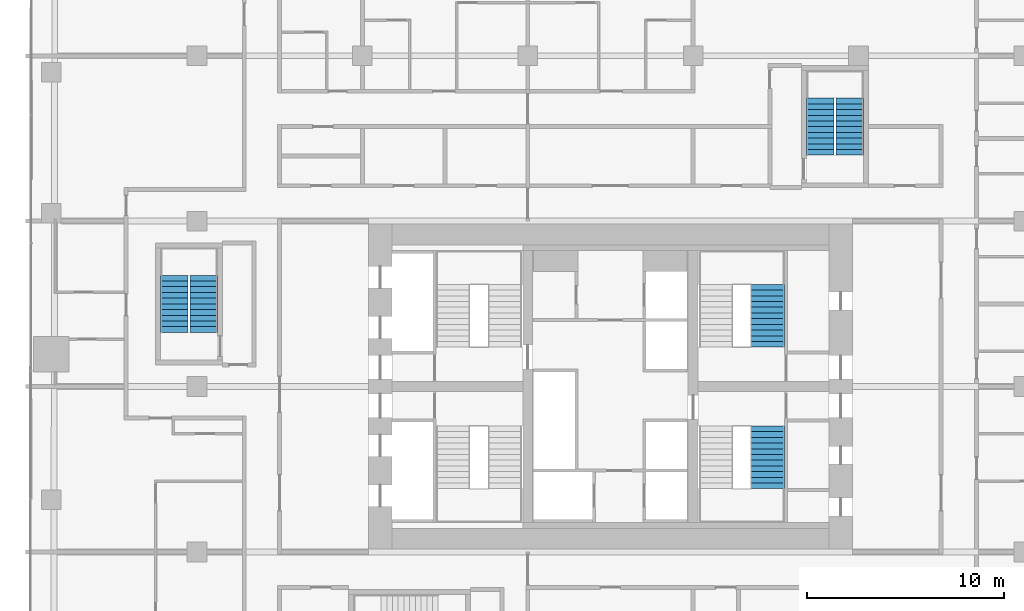
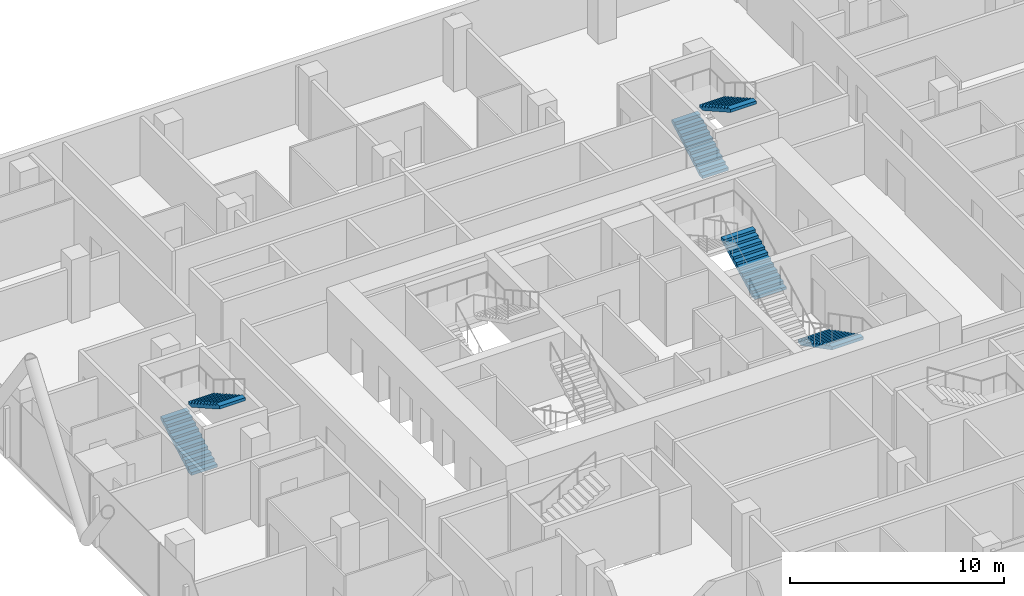
# One storey, part 32 of 34: 6 stair flights, 4 elements without a shape of their own.
"""IFC4 building model written with IfcOpenShell, lengths in metres."""

from ifc_helpers import new_model, si_unit, direction, frame, origin, place, context, subcontext, project, spatial, polyline, outline, extrude, material, type_object, element, aggregate, save


model = new_model("IFC4")

# Units and contexts
model_context = context("Model", 3, precision=1e-05, world=origin(), true_north=direction((0.0, 1.0)))
body_context = subcontext(model_context, "Body", "Model", "MODEL_VIEW")
ifc_project = project(units=[si_unit("LENGTHUNIT", "METRE"), si_unit("AREAUNIT", "SQUARE_METRE"), si_unit("VOLUMEUNIT", "CUBIC_METRE"), si_unit("PLANEANGLEUNIT", "RADIAN"), si_unit("MASSUNIT", "GRAM", prefix="KILO")], contexts=[model_context])

# Site, building, storey
site_placement = place(None, origin())
site = spatial("IfcSite", under=ifc_project, at=site_placement, CompositionType="ELEMENT")
building_placement = place(site_placement, origin())
building = spatial("IfcBuilding", under=site, at=building_placement, Name="Marenta Gate Hotel Tower", CompositionType="ELEMENT")
storey_placement = place(building_placement, frame((0.0, 0.0, 47.300048828125)))
storey = spatial("IfcBuildingStorey", under=building, at=storey_placement, Name="L09", CompositionType="ELEMENT", Elevation=47.300048828125)

# Stair, stair flight
ifc_material_1 = material(Name="Concrete C40", Category="concrete")
stair_type_1 = type_object("IfcStairType", Name="Core exit stair 1700 wide", PredefinedType="HALF_TURN_STAIR", material=ifc_material_1)
stair_1_placement = place(storey_placement, origin())
stair_1 = element("IfcStair", 1, at=stair_1_placement, inside=storey, type_object=stair_type_1, Name="Exit stair 3", PredefinedType="HALF_TURN_STAIR")
ifc_material_2 = material(Name="Concrete C40", Category="concrete")
stair_flight_type_1 = type_object("IfcStairFlightType", Name="Core stair flight 1700 riser 150.0 going 290", PredefinedType="STRAIGHT", material=ifc_material_2)
stair_flight_1_placement = place(storey_placement, frame((8.0, 6.39990234375, 0.0), z_axis=(0.0, 0.0, 1.0), x_axis=(0.0, -1.0, 0.0)))
stair_flight_1 = element("IfcStairFlight", 2, at=stair_flight_1_placement, type_object=stair_flight_type_1, Name="ST3 flight 1", NumberOfRisers=12, NumberOfTreads=11, PredefinedType="STRAIGHT", RiserHeight=0.15, TreadLength=0.29, context=body_context, shape_type="SweptSolid", body=[
    extrude(outline(polyline([(0.0, 0.0), (0.0, 0.14990234375), (0.2900390625, 0.14990234375), (0.2900390625, 0.300048828125), (0.580078125, 0.300048828125), (0.580078125, 0.449951171875), (0.8701171875, 0.449951171875), (0.8701171875, 0.60009765625), (1.159912109375, 0.60009765625), (1.159912109375, 0.75), (1.449951171875, 0.75), (1.449951171875, 0.89990234375), (1.739990234375, 0.89990234375), (1.739990234375, 1.050048828125), (2.030029296875, 1.050048828125), (2.030029296875, 1.199951171875), (2.320068359375, 1.199951171875), (2.320068359375, 1.35009765625), (2.610107421875, 1.35009765625), (2.610107421875, 1.5), (2.89990234375, 1.5), (2.89990234375, 1.64990234375), (3.18994140625, 1.64990234375), (3.18994140625, 1.800048828125), (3.18994140625, 1.481201171875), (0.326171875, 0.0), (0.0, 0.0)])), frame((0.0, 0.85009765625, 0.0), z_axis=(0.0, -1.0, 0.0), x_axis=(1.0, 0.0, 0.0)), (0.0, 0.0, 1.0), 1.699951171875),
])
aggregate(stair_1, [stair_flight_1])

stair_2_placement = place(storey_placement, origin())
stair_2 = element("IfcStair", 3, at=stair_2_placement, inside=storey, type_object=stair_type_1, Name="Exit stair 4", PredefinedType="HALF_TURN_STAIR")
stair_flight_2_placement = place(storey_placement, frame((8.0, 10.39990234375, 0.0), z_axis=(0.0, 0.0, 1.0), x_axis=(0.0, 1.0, 0.0)))
stair_flight_2 = element("IfcStairFlight", 4, at=stair_flight_2_placement, type_object=stair_flight_type_1, Name="ST4 flight 1", NumberOfRisers=12, NumberOfTreads=11, PredefinedType="STRAIGHT", RiserHeight=0.15, TreadLength=0.29, context=body_context, shape_type="SweptSolid", body=[
    extrude(outline(polyline([(0.0, 0.0), (0.0, 0.14990234375), (0.2900390625, 0.14990234375), (0.2900390625, 0.300048828125), (0.580078125, 0.300048828125), (0.580078125, 0.449951171875), (0.8701171875, 0.449951171875), (0.8701171875, 0.60009765625), (1.159912109375, 0.60009765625), (1.159912109375, 0.75), (1.449951171875, 0.75), (1.449951171875, 0.89990234375), (1.739990234375, 0.89990234375), (1.739990234375, 1.050048828125), (2.030029296875, 1.050048828125), (2.030029296875, 1.199951171875), (2.320068359375, 1.199951171875), (2.320068359375, 1.35009765625), (2.610107421875, 1.35009765625), (2.610107421875, 1.5), (2.89990234375, 1.5), (2.89990234375, 1.64990234375), (3.18994140625, 1.64990234375), (3.18994140625, 1.800048828125), (3.18994140625, 1.481201171875), (0.326171875, 0.0), (0.0, 0.0)])), frame((0.0, 0.85009765625, 0.0), z_axis=(0.0, -1.0, 0.0), x_axis=(1.0, 0.0, 0.0)), (0.0, 0.0, 1.0), 1.699951171875),
])
aggregate(stair_2, [stair_flight_2])

# Stair, stair flights
ifc_material_3 = material(Name="Concrete C40", Category="concrete")
stair_type_2 = type_object("IfcStairType", Name="Remote exit stair 1400 wide", PredefinedType="HALF_TURN_STAIR", material=ifc_material_3)
stair_3_placement = place(storey_placement, origin())
stair_3 = element("IfcStair", 5, at=stair_3_placement, inside=storey, type_object=stair_type_2, Name="Exit stair RS-Z1-3", PredefinedType="HALF_TURN_STAIR")
ifc_material_4 = material(Name="Concrete C40", Category="concrete")
stair_flight_type_2 = type_object("IfcStairFlightType", Name="Remote stair flight 1400 riser 163.6 going 290", PredefinedType="STRAIGHT", material=ifc_material_4)
stair_flight_3_placement = place(storey_placement, frame((-22.14990234375, 11.14990234375, 0.0), z_axis=(0.0, 0.0, 1.0), x_axis=(0.0, 1.0, 0.0)))
stair_flight_3 = element("IfcStairFlight", 6, at=stair_flight_3_placement, type_object=stair_flight_type_2, Name="RS-Z1-3 flight 1", NumberOfRisers=11, NumberOfTreads=10, PredefinedType="STRAIGHT", RiserHeight=0.163636, TreadLength=0.29, context=body_context, shape_type="SweptSolid", body=[
    extrude(outline(polyline([(0.0, 0.0), (0.0, 0.16357421875), (0.2900390625, 0.16357421875), (0.2900390625, 0.327392578125), (0.580078125, 0.327392578125), (0.580078125, 0.490966796875), (0.8701171875, 0.490966796875), (0.8701171875, 0.654541015625), (1.159912109375, 0.654541015625), (1.159912109375, 0.818115234375), (1.449951171875, 0.818115234375), (1.449951171875, 0.98193359375), (1.739990234375, 0.98193359375), (1.739990234375, 1.1455078125), (2.030029296875, 1.1455078125), (2.030029296875, 1.30908203125), (2.320068359375, 1.30908203125), (2.320068359375, 1.47265625), (2.610107421875, 1.47265625), (2.610107421875, 1.636474609375), (2.89990234375, 1.636474609375), (2.89990234375, 1.800048828125), (2.89990234375, 1.46435546875), (0.304931640625, 0.0), (0.0, 0.0)])), frame((0.0, 0.699951171875, 0.0), z_axis=(0.0, -1.0, 0.0), x_axis=(1.0, 0.0, 0.0)), (0.0, 0.0, 1.0), 1.39990234375),
])
stair_flight_4_placement = place(storey_placement, frame((-20.64990234375, 14.050048828125, 1.800048828125), z_axis=(0.0, 0.0, 1.0), x_axis=(0.0, -1.0, 0.0)))
stair_flight_4 = element("IfcStairFlight", 7, at=stair_flight_4_placement, type_object=stair_flight_type_2, Name="RS-Z1-3 flight 2", NumberOfRisers=11, NumberOfTreads=10, PredefinedType="STRAIGHT", RiserHeight=0.163636, TreadLength=0.29, context=body_context, shape_type="SweptSolid", body=[
    extrude(outline(polyline([(0.0, 0.0), (0.0, 0.16357421875), (0.2900390625, 0.16357421875), (0.2900390625, 0.327392578125), (0.580078125, 0.327392578125), (0.580078125, 0.490966796875), (0.8701171875, 0.490966796875), (0.8701171875, 0.654541015625), (1.159912109375, 0.654541015625), (1.159912109375, 0.818115234375), (1.449951171875, 0.818115234375), (1.449951171875, 0.98193359375), (1.739990234375, 0.98193359375), (1.739990234375, 1.1455078125), (2.030029296875, 1.1455078125), (2.030029296875, 1.30908203125), (2.320068359375, 1.30908203125), (2.320068359375, 1.47265625), (2.610107421875, 1.47265625), (2.610107421875, 1.636474609375), (2.89990234375, 1.636474609375), (2.89990234375, 1.800048828125), (2.89990234375, 1.46435546875), (0.304931640625, 0.0), (0.0, 0.0)])), frame((0.0, 0.699951171875, 0.0), z_axis=(0.0, -1.0, 0.0), x_axis=(1.0, 0.0, 0.0)), (0.0, 0.0, 1.0), 1.39990234375),
])
aggregate(stair_3, [stair_flight_3, stair_flight_4])

stair_4_placement = place(storey_placement, origin())
stair_4 = element("IfcStair", 8, at=stair_4_placement, inside=storey, type_object=stair_type_2, Name="Exit stair RS-Z1-4", PredefinedType="HALF_TURN_STAIR")
stair_flight_5_placement = place(storey_placement, frame((10.64990234375, 20.14990234375, 0.0), z_axis=(0.0, 0.0, 1.0), x_axis=(0.0, 1.0, 0.0)))
stair_flight_5 = element("IfcStairFlight", 9, at=stair_flight_5_placement, type_object=stair_flight_type_2, Name="RS-Z1-4 flight 1", NumberOfRisers=11, NumberOfTreads=10, PredefinedType="STRAIGHT", RiserHeight=0.163636, TreadLength=0.29, context=body_context, shape_type="SweptSolid", body=[
    extrude(outline(polyline([(0.0, 0.0), (0.0, 0.16357421875), (0.2900390625, 0.16357421875), (0.2900390625, 0.327392578125), (0.580078125, 0.327392578125), (0.580078125, 0.490966796875), (0.8701171875, 0.490966796875), (0.8701171875, 0.654541015625), (1.159912109375, 0.654541015625), (1.159912109375, 0.818115234375), (1.449951171875, 0.818115234375), (1.449951171875, 0.98193359375), (1.739990234375, 0.98193359375), (1.739990234375, 1.1455078125), (2.030029296875, 1.1455078125), (2.030029296875, 1.30908203125), (2.320068359375, 1.30908203125), (2.320068359375, 1.47265625), (2.610107421875, 1.47265625), (2.610107421875, 1.636474609375), (2.89990234375, 1.636474609375), (2.89990234375, 1.800048828125), (2.89990234375, 1.46435546875), (0.304931640625, 0.0), (0.0, 0.0)])), frame((0.0, 0.699951171875, 0.0), z_axis=(0.0, -1.0, 0.0), x_axis=(1.0, 0.0, 0.0)), (0.0, 0.0, 1.0), 1.39990234375),
])
stair_flight_6_placement = place(storey_placement, frame((12.14990234375, 23.050048828125, 1.800048828125), z_axis=(0.0, 0.0, 1.0), x_axis=(0.0, -1.0, 0.0)))
stair_flight_6 = element("IfcStairFlight", 10, at=stair_flight_6_placement, type_object=stair_flight_type_2, Name="RS-Z1-4 flight 2", NumberOfRisers=11, NumberOfTreads=10, PredefinedType="STRAIGHT", RiserHeight=0.163636, TreadLength=0.29, context=body_context, shape_type="SweptSolid", body=[
    extrude(outline(polyline([(0.0, 0.0), (0.0, 0.16357421875), (0.2900390625, 0.16357421875), (0.2900390625, 0.327392578125), (0.580078125, 0.327392578125), (0.580078125, 0.490966796875), (0.8701171875, 0.490966796875), (0.8701171875, 0.654541015625), (1.159912109375, 0.654541015625), (1.159912109375, 0.818115234375), (1.449951171875, 0.818115234375), (1.449951171875, 0.98193359375), (1.739990234375, 0.98193359375), (1.739990234375, 1.1455078125), (2.030029296875, 1.1455078125), (2.030029296875, 1.30908203125), (2.320068359375, 1.30908203125), (2.320068359375, 1.47265625), (2.610107421875, 1.47265625), (2.610107421875, 1.636474609375), (2.89990234375, 1.636474609375), (2.89990234375, 1.800048828125), (2.89990234375, 1.46435546875), (0.304931640625, 0.0), (0.0, 0.0)])), frame((0.0, 0.699951171875, 0.0), z_axis=(0.0, -1.0, 0.0), x_axis=(1.0, 0.0, 0.0)), (0.0, 0.0, 1.0), 1.39990234375),
])
aggregate(stair_4, [stair_flight_5, stair_flight_6])

save(model, "model.ifc")
